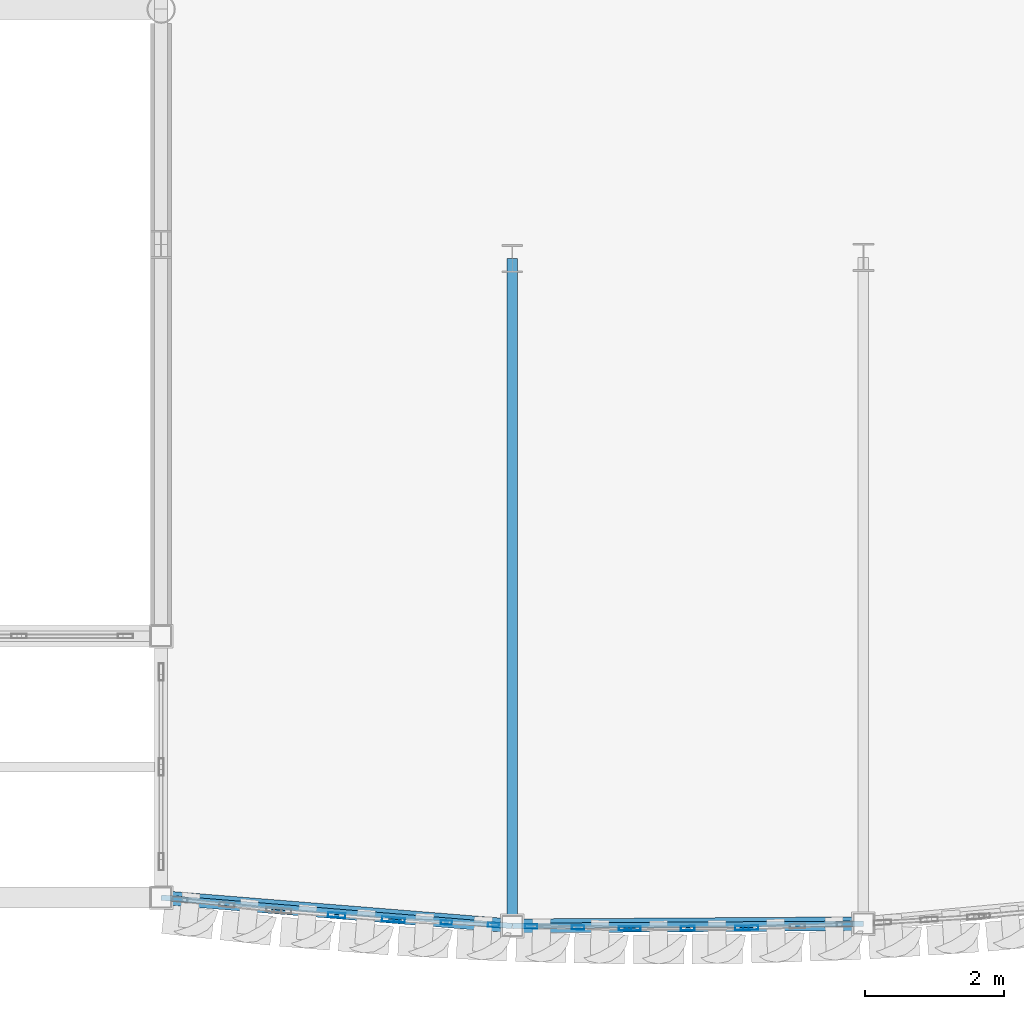
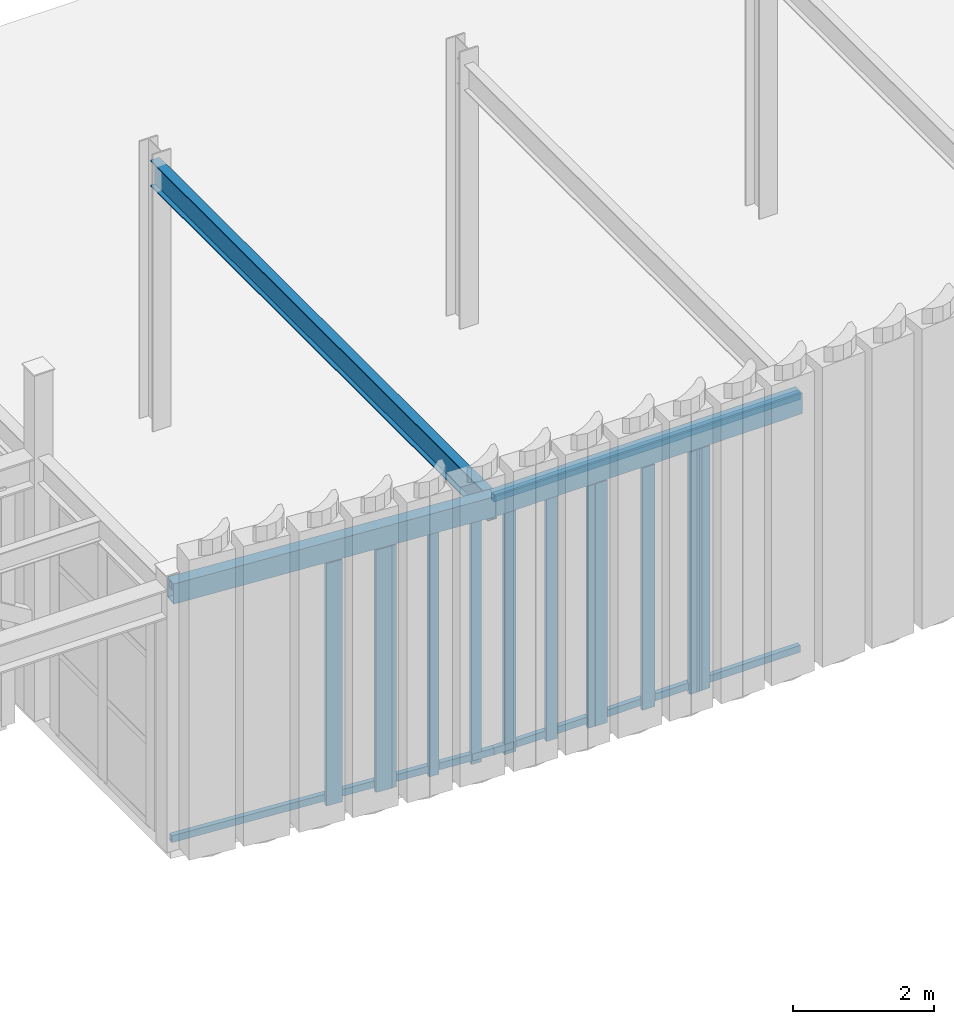
# One storey, part 44 of 126: 16 members, 3 beams, 5 elements without a shape of their own.
"""IFC4 building model written with IfcOpenShell, lengths in metres."""

from ifc_helpers import new_model, si_unit, direction, frame, origin, origin_2d, place, context, subcontext, project, spatial, hollow_rectangle, i_section, extrude, material, layer, layer_set, material_profile, profile_set, type_object, element, aggregate, save


model = new_model("IFC4")

# Units and contexts
model_context = context("Model", 3, precision=1e-05, world=origin(), true_north=direction((0.0, 1.0)))
body_context = subcontext(model_context, "Body", "Model", "MODEL_VIEW")
ifc_project = project(units=[si_unit("LENGTHUNIT", "METRE"), si_unit("AREAUNIT", "SQUARE_METRE"), si_unit("VOLUMEUNIT", "CUBIC_METRE"), si_unit("PLANEANGLEUNIT", "RADIAN"), si_unit("MASSUNIT", "GRAM", prefix="KILO")], contexts=[model_context])

# Site, building, storey
site_placement = place(None, origin())
site = spatial("IfcSite", under=ifc_project, at=site_placement, CompositionType="ELEMENT")
building_placement = place(site_placement, origin())
building = spatial("IfcBuilding", under=site, at=building_placement, Name="Solvadek Multi-Sports Hall", CompositionType="ELEMENT")
storey_placement = place(building_placement, frame((0.0, 0.0, 9.60009765625)))
storey = spatial("IfcBuildingStorey", under=building, at=storey_placement, Name="L02", CompositionType="ELEMENT", Elevation=9.60009765625)

# Curtain wall, members
ifc_material_1 = material(Name="Anodised aluminium", Category="aluminium")
ifc_layer_1 = layer(ifc_material_1, 0.159912109375, Name="Anodised aluminium")
ifc_layer_set_1 = layer_set([ifc_layer_1], Name="Anodised aluminium")
curtain_wall_type_1 = type_object("IfcCurtainWallType", Name="ENV-CW-141X420", PredefinedType="USERDEFINED", material=ifc_layer_set_1)
curtain_wall_1_placement = place(storey_placement, origin())
curtain_wall_1 = element("IfcCurtainWall", 1, at=curtain_wall_1_placement, inside=storey, type_object=curtain_wall_type_1, Name="L02 Crescent Curved Curtain Wall #60", ObjectType="CURTAIN WALL", PredefinedType="USERDEFINED")
ifc_material_profile_1 = material_profile(ifc_material_1, hollow_rectangle(XDim=0.06005859375, YDim=0.159912109375, WallThickness=0.00390625, at=origin_2d()), Name="ALU-M 160x60x4")
ifc_profile_set_1 = profile_set([ifc_material_profile_1], Name="Anodised aluminium")
member_type_1 = type_object("IfcMemberType", Name="ENV-CWM-01", PredefinedType="MULLION", material=ifc_profile_set_1)
member_1_placement = place(storey_placement, frame((89.820068359375, -13.076171875, 0.0), z_axis=(0.0, 0.0, 1.0), x_axis=(0.051551584948, 0.998670333038, 0.0)))
member_1 = element("IfcMember", 2, at=member_1_placement, type_object=member_type_1, Name="CW-28 mullion 1", PredefinedType="MULLION", context=body_context, shape_type="SweptSolid", body=[
    extrude(hollow_rectangle(XDim=0.06005859375, YDim=0.159912109375, WallThickness=0.00390625, at=origin_2d()), origin(), (0.0, 0.0, 1.0), 4.199951171875),
])
member_2_placement = place(storey_placement, frame((90.4951171875, -13.111083984375, 0.0), z_axis=(0.0, 0.0, 1.0), x_axis=(0.051551584948, 0.998670333038, 0.0)))
member_2 = element("IfcMember", 3, at=member_2_placement, type_object=member_type_1, Name="CW-28 mullion 2", PredefinedType="MULLION", context=body_context, shape_type="SweptSolid", body=[
    extrude(hollow_rectangle(XDim=0.06005859375, YDim=0.159912109375, WallThickness=0.00390625, at=origin_2d()), origin(), (0.0, 0.0, 1.0), 4.199951171875),
])
member_3_placement = place(storey_placement, frame((91.17041015625, -13.14599609375, 0.0), z_axis=(0.0, 0.0, 1.0), x_axis=(0.051551584948, 0.998670333038, 0.0)))
member_3 = element("IfcMember", 4, at=member_3_placement, type_object=member_type_1, Name="CW-28 mullion 3", PredefinedType="MULLION", context=body_context, shape_type="SweptSolid", body=[
    extrude(hollow_rectangle(XDim=0.06005859375, YDim=0.159912109375, WallThickness=0.00390625, at=origin_2d()), origin(), (0.0, 0.0, 1.0), 4.199951171875),
])
aggregate(curtain_wall_1, [member_1, member_2, member_3])

curtain_wall_2_placement = place(storey_placement, origin())
curtain_wall_2 = element("IfcCurtainWall", 5, at=curtain_wall_2_placement, inside=storey, type_object=curtain_wall_type_1, Name="L02 Crescent Curved Curtain Wall #62", ObjectType="CURTAIN WALL", PredefinedType="USERDEFINED")
ifc_material_profile_2 = material_profile(ifc_material_1, hollow_rectangle(XDim=0.06005859375, YDim=0.179931640625, WallThickness=0.00390625, at=origin_2d()), Name="ALU-M 180x60x4")
ifc_profile_set_2 = profile_set([ifc_material_profile_2], Name="Anodised aluminium")
member_type_2 = type_object("IfcMemberType", Name="ENV-CWM-02", PredefinedType="MULLION", material=ifc_profile_set_2)
member_4_placement = place(storey_placement, frame((91.7099609375, -13.166015625, 0.0), z_axis=(0.0, 0.0, 1.0), x_axis=(0.022687584801, 0.999742603622, 0.0)))
member_4 = element("IfcMember", 6, at=member_4_placement, type_object=member_type_2, Name="CW-28 mullion 1", PredefinedType="MULLION", context=body_context, shape_type="SweptSolid", body=[
    extrude(hollow_rectangle(XDim=0.06005859375, YDim=0.179931640625, WallThickness=0.00390625, at=origin_2d()), origin(), (0.0, 0.0, 1.0), 4.199951171875),
])
member_5_placement = place(storey_placement, frame((92.385009765625, -13.181396484375, 0.0), z_axis=(0.0, 0.0, 1.0), x_axis=(0.022687584801, 0.999742603622, 0.0)))
member_5 = element("IfcMember", 7, at=member_5_placement, type_object=member_type_2, Name="CW-28 mullion 2", PredefinedType="MULLION", context=body_context, shape_type="SweptSolid", body=[
    extrude(hollow_rectangle(XDim=0.06005859375, YDim=0.179931640625, WallThickness=0.00390625, at=origin_2d()), origin(), (0.0, 0.0, 1.0), 4.199951171875),
])
member_6_placement = place(storey_placement, frame((93.06005859375, -13.196533203125, 0.0), z_axis=(0.0, 0.0, 1.0), x_axis=(0.022687584801, 0.999742603622, 0.0)))
member_6 = element("IfcMember", 8, at=member_6_placement, type_object=member_type_2, Name="CW-28 mullion 3", PredefinedType="MULLION", context=body_context, shape_type="SweptSolid", body=[
    extrude(hollow_rectangle(XDim=0.06005859375, YDim=0.179931640625, WallThickness=0.00390625, at=origin_2d()), origin(), (0.0, 0.0, 1.0), 4.199951171875),
])
aggregate(curtain_wall_2, [member_4, member_5, member_6])

ifc_layer_2 = layer(ifc_material_1, 0.159912109375, Name="Anodised aluminium")
ifc_layer_set_2 = layer_set([ifc_layer_2], Name="Anodised aluminium")
curtain_wall_type_2 = type_object("IfcCurtainWallType", Name="ENV-CW-162X420", PredefinedType="USERDEFINED", material=ifc_layer_set_2)
curtain_wall_3_placement = place(storey_placement, origin())
curtain_wall_3 = element("IfcCurtainWall", 9, at=curtain_wall_3_placement, inside=storey, type_object=curtain_wall_type_2, Name="L02 Crescent Curved Curtain Wall #64", ObjectType="CURTAIN WALL", PredefinedType="USERDEFINED")
ifc_material_profile_3 = material_profile(ifc_material_1, hollow_rectangle(XDim=0.06494140625, YDim=0.199951171875, WallThickness=0.0048828125, at=origin_2d()), Name="ALU-M 200x65x5")
ifc_profile_set_3 = profile_set([ifc_material_profile_3], Name="Anodised aluminium")
member_type_3 = type_object("IfcMemberType", Name="ENV-CWM-03", PredefinedType="MULLION", material=ifc_profile_set_3)
member_7_placement = place(storey_placement, frame((93.1826171875, -13.197509765625, 0.0), z_axis=(0.0, 0.0, 1.0), x_axis=(-0.0061727219, 0.999980948571, 0.0)))
member_7 = element("IfcMember", 10, at=member_7_placement, type_object=member_type_3, Name="CW-29 mullion 1", PredefinedType="MULLION", context=body_context, shape_type="SweptSolid", body=[
    extrude(hollow_rectangle(XDim=0.06494140625, YDim=0.199951171875, WallThickness=0.0048828125, at=origin_2d()), origin(), (0.0, 0.0, 1.0), 4.199951171875),
])
member_8_placement = place(storey_placement, frame((93.9599609375, -13.19287109375, 0.0), z_axis=(0.0, 0.0, 1.0), x_axis=(-0.0061727219, 0.999980948571, 0.0)))
member_8 = element("IfcMember", 11, at=member_8_placement, type_object=member_type_3, Name="CW-29 mullion 2", PredefinedType="MULLION", context=body_context, shape_type="SweptSolid", body=[
    extrude(hollow_rectangle(XDim=0.06494140625, YDim=0.199951171875, WallThickness=0.0048828125, at=origin_2d()), origin(), (0.0, 0.0, 1.0), 4.199951171875),
])
member_9_placement = place(storey_placement, frame((94.737548828125, -13.18798828125, 0.0), z_axis=(0.0, 0.0, 1.0), x_axis=(-0.0061727219, 0.999980948571, 0.0)))
member_9 = element("IfcMember", 12, at=member_9_placement, type_object=member_type_3, Name="CW-29 mullion 3", PredefinedType="MULLION", context=body_context, shape_type="SweptSolid", body=[
    extrude(hollow_rectangle(XDim=0.06494140625, YDim=0.199951171875, WallThickness=0.0048828125, at=origin_2d()), origin(), (0.0, 0.0, 1.0), 4.199951171875),
])
aggregate(curtain_wall_3, [member_7, member_8, member_9])

# Curtain wall, member
curtain_wall_4_placement = place(storey_placement, origin())
curtain_wall_4 = element("IfcCurtainWall", 13, at=curtain_wall_4_placement, inside=storey, type_object=curtain_wall_type_1, Name="L02 Crescent Curved Curtain Wall #66", ObjectType="CURTAIN WALL", PredefinedType="USERDEFINED")
ifc_material_profile_4 = material_profile(ifc_material_1, hollow_rectangle(XDim=0.06494140625, YDim=0.219970703125, WallThickness=0.0048828125, at=origin_2d()), Name="ALU-M 220x65x5")
ifc_profile_set_4 = profile_set([ifc_material_profile_4], Name="Anodised aluminium")
member_type_4 = type_object("IfcMemberType", Name="ENV-CWM-04", PredefinedType="MULLION", material=ifc_profile_set_4)
member_10_placement = place(storey_placement, frame((94.862548828125, -13.185302734375, 0.0), z_axis=(0.0, 0.0, 1.0), x_axis=(-0.035011498004, 0.999386909564, 0.0)))
member_10 = element("IfcMember", 14, at=member_10_placement, type_object=member_type_4, Name="CW-28 mullion 1", PredefinedType="MULLION", context=body_context, shape_type="SweptSolid", body=[
    extrude(hollow_rectangle(XDim=0.06494140625, YDim=0.219970703125, WallThickness=0.0048828125, at=origin_2d()), origin(), (0.0, 0.0, 1.0), 4.199951171875),
])
aggregate(curtain_wall_4, [member_10])

# Curtain wall, members
ifc_layer_3 = layer(ifc_material_1, 0.159912109375, Name="Anodised aluminium")
ifc_layer_set_3 = layer_set([ifc_layer_3], Name="Anodised aluminium")
curtain_wall_type_3 = type_object("IfcCurtainWallType", Name="ENV-CW-163X420", PredefinedType="USERDEFINED", material=ifc_layer_set_3)
curtain_wall_5_placement = place(storey_placement, origin())
curtain_wall_5 = element("IfcCurtainWall", 15, at=curtain_wall_5_placement, inside=storey, type_object=curtain_wall_type_3, Name="L02 Crescent Curved Curtain Wall #58", ObjectType="CURTAIN WALL", PredefinedType="USERDEFINED")
ifc_material_profile_5 = material_profile(ifc_material_1, hollow_rectangle(XDim=0.070068359375, YDim=0.25, WallThickness=0.0048828125, at=origin_2d()), Name="ALU-M 250x70x5")
ifc_profile_set_5 = profile_set([ifc_material_profile_5], Name="Anodised aluminium")
member_type_5 = type_object("IfcMemberType", Name="ENV-CWM-05", PredefinedType="MULLION", material=ifc_profile_set_5)
member_11_placement = place(storey_placement, frame((88.919921875, -13.00537109375, 0.0), z_axis=(0.0, 0.0, 1.0), x_axis=(0.080468973281, 0.996757114015, 0.0)))
member_11 = element("IfcMember", 16, at=member_11_placement, type_object=member_type_5, Name="CW-15 mullion 2", PredefinedType="MULLION", context=body_context, shape_type="SweptSolid", body=[
    extrude(hollow_rectangle(XDim=0.070068359375, YDim=0.25, WallThickness=0.0048828125, at=origin_2d()), origin(), (0.0, 0.0, 1.0), 4.199951171875),
])
member_12_placement = place(storey_placement, frame((89.6953125, -13.06787109375, 0.0), z_axis=(0.0, 0.0, 1.0), x_axis=(0.080468973281, 0.996757114015, 0.0)))
member_12 = element("IfcMember", 17, at=member_12_placement, type_object=member_type_5, Name="CW-15 mullion 3", PredefinedType="MULLION", context=body_context, shape_type="SweptSolid", body=[
    extrude(hollow_rectangle(XDim=0.070068359375, YDim=0.25, WallThickness=0.0048828125, at=origin_2d()), origin(), (0.0, 0.0, 1.0), 4.199951171875),
])
aggregate(curtain_wall_5, [member_11, member_12])

# Beams
ifc_material_2 = material(Name="Steel E350 (350 MPa)", Category="steel")
ifc_material_profile_6 = material_profile(ifc_material_2, i_section(OverallWidth=0.14990234375, OverallDepth=0.449951171875, WebThickness=0.009521484375, FlangeThickness=0.017333984375, at=origin_2d()), Name="ISMB 450")
ifc_profile_set_6 = profile_set([ifc_material_profile_6], Name="Steel E350 (350 MPa)")
beam_type_1 = type_object("IfcBeamType", Name="STR-BM-ISMB450", PredefinedType="BEAM", material=ifc_profile_set_6)
beam_1_placement = place(storey_placement, frame((91.43994140625, -13.159912109375, 4.3349609375), z_axis=(0.0, 1.0, 0.0), x_axis=(-1.0, 0.0, 0.0)))
element("IfcBeam", 18, at=beam_1_placement, inside=storey, type_object=beam_type_1, Name="L02 Girder B-09 #1588", PredefinedType="BEAM", context=body_context, shape_type="SweptSolid", body=[
    extrude(i_section(OverallWidth=0.14990234375, OverallDepth=0.449951171875, WebThickness=0.009521484375, FlangeThickness=0.017333984375, at=origin_2d()), origin(), (0.0, 0.0, 1.0), 9.579833984375),
])
ifc_material_profile_7 = material_profile(ifc_material_2, hollow_rectangle(XDim=0.199951171875, YDim=0.35009765625, WallThickness=0.011962890625, at=origin_2d()), Name="RHS 350x200x12")
ifc_profile_set_7 = profile_set([ifc_material_profile_7], Name="Steel E350 (350 MPa)")
beam_type_2 = type_object("IfcBeamType", Name="STR-SPN-RHS350", PredefinedType="SPANDREL", material=ifc_profile_set_7)
beam_2_placement = place(storey_placement, frame((86.39990234375, -12.7529296875, 4.40478515625), z_axis=(0.996755588376, -0.080487868912, 0.0), x_axis=(0.080487868912, 0.996755588376, 0.0)))
element("IfcBeam", 19, at=beam_2_placement, inside=storey, type_object=beam_type_2, Name="L02 Curved Crescent Spandrel #67", PredefinedType="SPANDREL", context=body_context, shape_type="SweptSolid", body=[
    extrude(hollow_rectangle(XDim=0.199951171875, YDim=0.35009765625, WallThickness=0.011962890625, at=origin_2d()), origin(), (0.0, 0.0, 1.0), 5.056396484375),
])
beam_3_placement = place(storey_placement, frame((91.43994140625, -13.159912109375, 4.40478515625), z_axis=(0.999980778392, 0.006200229589, 0.0), x_axis=(-0.006200229589, 0.999980778392, 0.0)))
element("IfcBeam", 20, at=beam_3_placement, inside=storey, type_object=beam_type_2, Name="L02 Curved Crescent Spandrel #68", PredefinedType="SPANDREL", context=body_context, shape_type="SweptSolid", body=[
    extrude(hollow_rectangle(XDim=0.199951171875, YDim=0.35009765625, WallThickness=0.011962890625, at=origin_2d()), origin(), (0.0, 0.0, 1.0), 5.0400390625),
])

# Members
ifc_material_3 = material(Name="Steel E250 (250 MPa)", Category="steel")
ifc_material_profile_8 = material_profile(ifc_material_3, hollow_rectangle(XDim=0.080078125, YDim=0.1201171875, WallThickness=0.006103515625, at=origin_2d()), Name="RHS 120x80x6")
ifc_profile_set_8 = profile_set([ifc_material_profile_8], Name="Steel E250 (250 MPa)")
member_type_6 = type_object("IfcMemberType", Name="STR-STD-RHS120", PredefinedType="STUD", material=ifc_profile_set_8)
for number, where, z_axis, x_axis, name in (
    (21, (86.39990234375, -12.7529296875, 0.119873046875), (0.996755588376, -0.080487868912, 0.0), (0.080487868912, 0.996755588376, 0.0), "L02 Flute Subframe Rail E-1 bot"),
    (22, (86.39990234375, -12.7529296875, 4.5), (0.996755588376, -0.080487868912, 0.0), (0.080487868912, 0.996755588376, 0.0), "L02 Flute Subframe Rail E-1 top"),
):
    element("IfcMember", number, at=place(storey_placement, frame(where, z_axis=z_axis, x_axis=x_axis)), inside=storey, type_object=member_type_6, Name=name, PredefinedType="STUD", context=body_context, shape_type="SweptSolid", body=[
        extrude(hollow_rectangle(XDim=0.080078125, YDim=0.1201171875, WallThickness=0.006103515625, at=origin_2d()), origin(), (0.0, 0.0, 1.0), 5.056396484375),
    ])
for number, where, z_axis, x_axis, name in (
    (23, (91.43994140625, -13.159912109375, 0.119873046875), (0.999980778392, 0.006200229589, 0.0), (-0.006200229589, 0.999980778392, 0.0), "L02 Flute Subframe Rail E-2 bot"),
    (24, (91.43994140625, -13.159912109375, 4.5), (0.999980778392, 0.006200229589, 0.0), (-0.006200229589, 0.999980778392, 0.0), "L02 Flute Subframe Rail E-2 top"),
):
    element("IfcMember", number, at=place(storey_placement, frame(where, z_axis=z_axis, x_axis=x_axis)), inside=storey, type_object=member_type_6, Name=name, PredefinedType="STUD", context=body_context, shape_type="SweptSolid", body=[
        extrude(hollow_rectangle(XDim=0.080078125, YDim=0.1201171875, WallThickness=0.006103515625, at=origin_2d()), origin(), (0.0, 0.0, 1.0), 5.0400390625),
    ])

save(model, "model.ifc")
